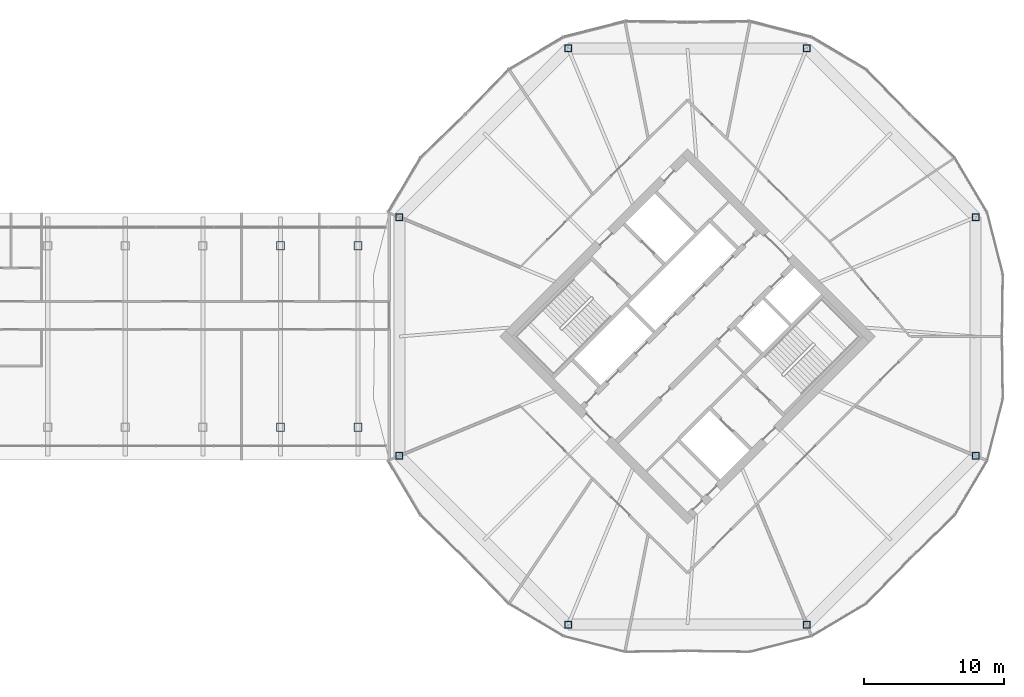
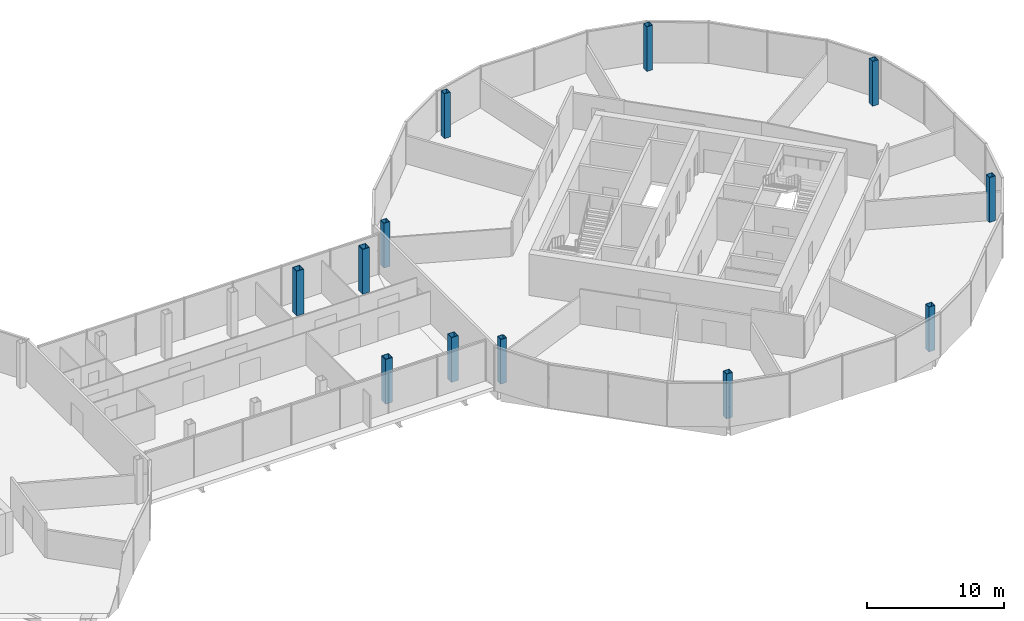
# One storey, part 2 of 25: 12 columns.
"""IFC4 building model written with IfcOpenShell, lengths in metres."""

from ifc_helpers import new_model, si_unit, direction, frame, origin, origin_2d, place, context, subcontext, project, spatial, hollow_rectangle, extrude, material, material_profile, profile_set, type_object, element, save


model = new_model("IFC4")

# Units and contexts
model_context = context("Model", 3, precision=1e-05, world=origin(), true_north=direction((0.0, 1.0)))
body_context = subcontext(model_context, "Body", "Model", "MODEL_VIEW")
ifc_project = project(units=[si_unit("LENGTHUNIT", "METRE"), si_unit("AREAUNIT", "SQUARE_METRE"), si_unit("VOLUMEUNIT", "CUBIC_METRE"), si_unit("PLANEANGLEUNIT", "RADIAN"), si_unit("MASSUNIT", "GRAM", prefix="KILO")], contexts=[model_context])

# Site, building, storey
site_placement = place(None, origin())
site = spatial("IfcSite", under=ifc_project, at=site_placement, CompositionType="ELEMENT")
building_placement = place(site_placement, origin())
building = spatial("IfcBuilding", under=site, at=building_placement, Name="Ogive Gate Towers", CompositionType="ELEMENT")
storey_placement = place(building_placement, frame((0.0, 0.0, 152.800048828125)))
storey = spatial("IfcBuildingStorey", under=building, at=storey_placement, Name="L36", CompositionType="ELEMENT", Elevation=152.800048828125)

# Columns
ifc_material = material(Name="Steel SM460", Category="steel")
ifc_material_profile_1 = material_profile(ifc_material, hollow_rectangle(XDim=0.60009765625, YDim=0.60009765625, WallThickness=0.0400390625, at=origin_2d()), Name="BX 600x600x40")
ifc_profile_set_1 = profile_set([ifc_material_profile_1], Name="Steel SM460")
column_type_1 = type_object("IfcColumnType", Name="Block column BX 600x600x40", PredefinedType="COLUMN", material=ifc_profile_set_1)
for number, where, z_axis, x_axis, name in (
    (1, (6.8388671875, -6.5, 0.0), (0.0, 0.0, 1.0), (1.0, 0.0, 0.0), "BR/L36/SCL007"),
    (2, (6.8388671875, 6.5, 0.0), (0.0, 0.0, 1.0), (1.0, 0.0, 0.0), "BR/L36/SCL008"),
    (3, (12.3955078125, -6.5, 0.0), (0.0, 0.0, 1.0), (1.0, 0.0, 0.0), "BR/L36/SCL009"),
    (4, (12.3955078125, 6.5, 0.0), (0.0, 0.0, 1.0), (1.0, 0.0, 0.0), "BR/L36/SCL010"),
):
    element("IfcColumn", number, at=place(storey_placement, frame(where, z_axis=z_axis, x_axis=x_axis)), inside=storey, type_object=column_type_1, Name=name, PredefinedType="COLUMN", context=body_context, shape_type="SweptSolid", body=[
        extrude(hollow_rectangle(XDim=0.60009765625, YDim=0.60009765625, WallThickness=0.0400390625, at=origin_2d()), origin(), (0.0, 0.0, 1.0), 4.0),
    ])
ifc_material_profile_2 = material_profile(ifc_material, hollow_rectangle(XDim=0.5, YDim=0.5, WallThickness=0.030029296875, at=origin_2d()), Name="BX 500x500x30")
ifc_profile_set_2 = profile_set([ifc_material_profile_2], Name="Steel SM460")
column_type_2 = type_object("IfcColumnType", Name="Perimeter post BX 500x500x30", PredefinedType="COLUMN", material=ifc_profile_set_2)
for number, where, z_axis, x_axis, name in (
    (5, (56.639404296875, 8.549072265625, 0.0), (0.0, 0.0, 1.0), (1.0, 0.0, 0.0), "T2/L36/SCL001"),
    (6, (44.549072265625, 20.639404296875, 0.0), (0.0, 0.0, 1.0), (1.0, 0.0, 0.0), "T2/L36/SCL002"),
    (7, (27.450927734375, 20.639404296875, 0.0), (0.0, 0.0, 1.0), (1.0, 0.0, 0.0), "T2/L36/SCL003"),
    (8, (15.360595703125, 8.549072265625, 0.0), (0.0, 0.0, 1.0), (1.0, 0.0, 0.0), "T2/L36/SCL004"),
    (9, (15.360595703125, -8.549072265625, 0.0), (0.0, 0.0, 1.0), (1.0, 0.0, 0.0), "T2/L36/SCL005"),
    (10, (27.450927734375, -20.639404296875, 0.0), (0.0, 0.0, 1.0), (1.0, 0.0, 0.0), "T2/L36/SCL006"),
    (11, (44.549072265625, -20.639404296875, 0.0), (0.0, 0.0, 1.0), (1.0, 0.0, 0.0), "T2/L36/SCL007"),
    (12, (56.639404296875, -8.549072265625, 0.0), (0.0, 0.0, 1.0), (1.0, 0.0, 0.0), "T2/L36/SCL008"),
):
    element("IfcColumn", number, at=place(storey_placement, frame(where, z_axis=z_axis, x_axis=x_axis)), inside=storey, type_object=column_type_2, Name=name, PredefinedType="COLUMN", context=body_context, shape_type="SweptSolid", body=[
        extrude(hollow_rectangle(XDim=0.5, YDim=0.5, WallThickness=0.030029296875, at=origin_2d()), origin(), (0.0, 0.0, 1.0), 4.0),
    ])

save(model, "model.ifc")
